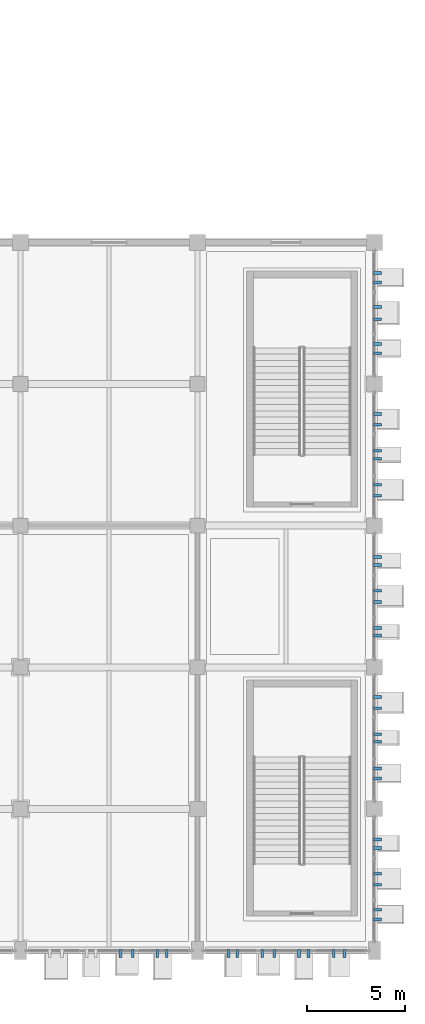
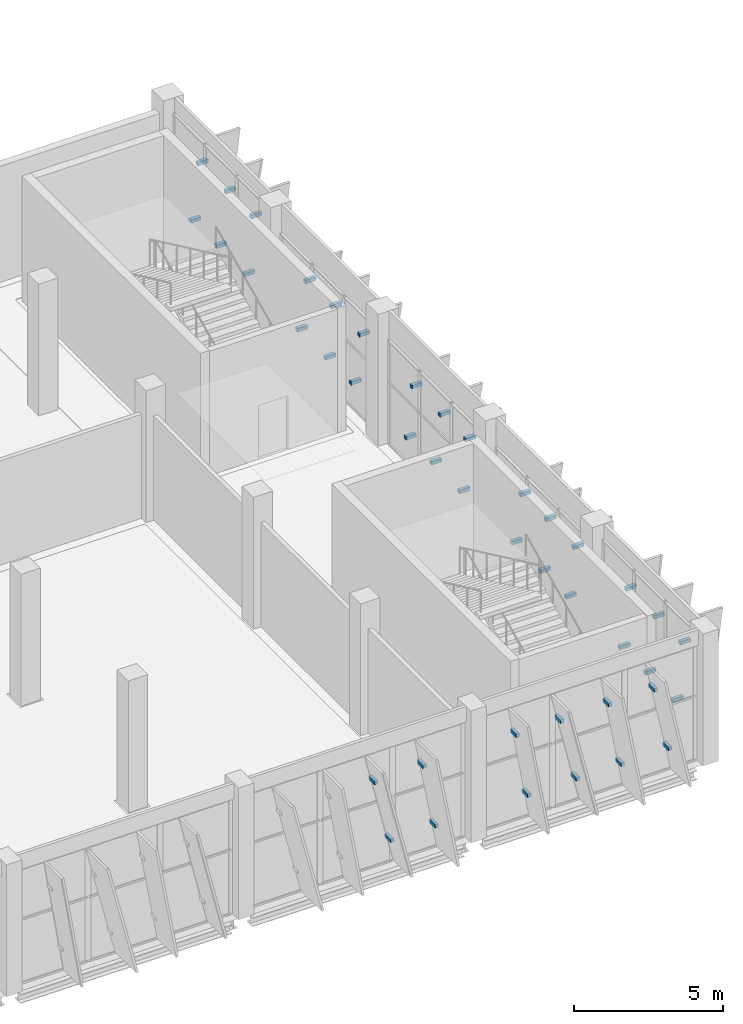
# One storey, part 106 of 137: 42 discrete accessories.
"""IFC4 building model written with IfcOpenShell, lengths in metres."""

from ifc_helpers import new_model, si_unit, direction, frame, origin, origin_2d, place, context, subcontext, project, spatial, rectangle, extrude, material, type_object, element, save


model = new_model("IFC4")

# Units and contexts
model_context = context("Model", 3, precision=1e-05, world=origin(), true_north=direction((0.0, 1.0)))
body_context = subcontext(model_context, "Body", "Model", "MODEL_VIEW")
ifc_project = project(units=[si_unit("LENGTHUNIT", "METRE"), si_unit("AREAUNIT", "SQUARE_METRE"), si_unit("VOLUMEUNIT", "CUBIC_METRE"), si_unit("PLANEANGLEUNIT", "RADIAN"), si_unit("MASSUNIT", "GRAM", prefix="KILO")], contexts=[model_context])

# Site, building, storey
site_placement = place(None, origin())
site = spatial("IfcSite", under=ifc_project, at=site_placement, CompositionType="ELEMENT")
building_placement = place(site_placement, origin())
building = spatial("IfcBuilding", under=site, at=building_placement, Name="Celestram Park Convention Centre", CompositionType="ELEMENT")
storey_placement = place(building_placement, origin())
storey = spatial("IfcBuildingStorey", under=building, at=storey_placement, Name="L00", CompositionType="ELEMENT", Elevation=0.0)

# Discrete accessories
ifc_material = material(Name="Steel ASTM A500 Grade C", Category="steel")
discrete_accessory_type = type_object("IfcDiscreteAccessoryType", Name="ARC-BRK-OUT400", PredefinedType="BRACKET", material=ifc_material)
for number, where, z_axis, x_axis, name in (
    (1, (216.14990234375, 34.443115234375, 1.01513671875), (0.0, 0.0, 1.0), (1.0, 0.0, 0.0), "Solar fin outrigger bracket BK-L00-0135"),
    (2, (216.14990234375, 33.956787109375, 3.66455078125), (0.0, 0.0, 1.0), (1.0, 0.0, 0.0), "Solar fin outrigger bracket BK-L00-0136"),
    (3, (216.14990234375, 32.712158203125, 1.02978515625), (0.0, 0.0, 1.0), (1.0, 0.0, 0.0), "Solar fin outrigger bracket BK-L00-0137"),
    (4, (216.14990234375, 32.087890625, 3.650390625), (0.0, 0.0, 1.0), (1.0, 0.0, 0.0), "Solar fin outrigger bracket BK-L00-0138"),
    (5, (216.14990234375, 30.8291015625, 1.01318359375), (0.0, 0.0, 1.0), (1.0, 0.0, 0.0), "Solar fin outrigger bracket BK-L00-0139"),
    (6, (216.14990234375, 30.370849609375, 3.6669921875), (0.0, 0.0, 1.0), (1.0, 0.0, 0.0), "Solar fin outrigger bracket BK-L00-0140"),
    (7, (216.14990234375, 27.27587890625, 0.9033203125), (0.0, 0.0, 1.0), (1.0, 0.0, 0.0), "Solar fin outrigger bracket BK-L00-0141"),
    (8, (216.14990234375, 26.72412109375, 3.220703125), (0.0, 0.0, 1.0), (1.0, 0.0, 0.0), "Solar fin outrigger bracket BK-L00-0142"),
    (9, (216.14990234375, 25.402587890625, 0.88818359375), (0.0, 0.0, 1.0), (1.0, 0.0, 0.0), "Solar fin outrigger bracket BK-L00-0143"),
    (10, (216.14990234375, 24.997314453125, 3.23583984375), (0.0, 0.0, 1.0), (1.0, 0.0, 0.0), "Solar fin outrigger bracket BK-L00-0144"),
    (11, (216.14990234375, 23.68408203125, 0.9052734375), (0.0, 0.0, 1.0), (1.0, 0.0, 0.0), "Solar fin outrigger bracket BK-L00-0145"),
    (12, (216.14990234375, 23.115966796875, 3.21875), (0.0, 0.0, 1.0), (1.0, 0.0, 0.0), "Solar fin outrigger bracket BK-L00-0146"),
    (13, (216.14990234375, 20.002685546875, 0.88818359375), (0.0, 0.0, 1.0), (1.0, 0.0, 0.0), "Solar fin outrigger bracket BK-L00-0147"),
    (14, (216.14990234375, 19.597412109375, 3.23583984375), (0.0, 0.0, 1.0), (1.0, 0.0, 0.0), "Solar fin outrigger bracket BK-L00-0148"),
    (15, (216.14990234375, 18.2841796875, 0.9052734375), (0.0, 0.0, 1.0), (1.0, 0.0, 0.0), "Solar fin outrigger bracket BK-L00-0149"),
    (16, (216.14990234375, 17.7158203125, 3.21875), (0.0, 0.0, 1.0), (1.0, 0.0, 0.0), "Solar fin outrigger bracket BK-L00-0150"),
    (17, (216.14990234375, 16.390380859375, 0.88623046875), (0.0, 0.0, 1.0), (1.0, 0.0, 0.0), "Solar fin outrigger bracket BK-L00-0151"),
    (18, (216.14990234375, 16.009521484375, 3.23779296875), (0.0, 0.0, 1.0), (1.0, 0.0, 0.0), "Solar fin outrigger bracket BK-L00-0152"),
    (19, (216.14990234375, 12.884033203125, 0.9052734375), (0.0, 0.0, 1.0), (1.0, 0.0, 0.0), "Solar fin outrigger bracket BK-L00-0153"),
    (20, (216.14990234375, 12.31591796875, 3.21875), (0.0, 0.0, 1.0), (1.0, 0.0, 0.0), "Solar fin outrigger bracket BK-L00-0154"),
    (21, (216.14990234375, 10.990478515625, 0.88623046875), (0.0, 0.0, 1.0), (1.0, 0.0, 0.0), "Solar fin outrigger bracket BK-L00-0155"),
    (22, (216.14990234375, 10.609619140625, 3.23779296875), (0.0, 0.0, 1.0), (1.0, 0.0, 0.0), "Solar fin outrigger bracket BK-L00-0156"),
    (23, (216.14990234375, 9.249755859375, 0.8974609375), (0.0, 0.0, 1.0), (1.0, 0.0, 0.0), "Solar fin outrigger bracket BK-L00-0157"),
    (24, (216.14990234375, 8.750244140625, 3.2265625), (0.0, 0.0, 1.0), (1.0, 0.0, 0.0), "Solar fin outrigger bracket BK-L00-0158"),
    (25, (216.14990234375, 5.640380859375, 1.0107421875), (0.0, 0.0, 1.0), (1.0, 0.0, 0.0), "Solar fin outrigger bracket BK-L00-0159"),
    (26, (216.14990234375, 5.209716796875, 3.66943359375), (0.0, 0.0, 1.0), (1.0, 0.0, 0.0), "Solar fin outrigger bracket BK-L00-0160"),
    (27, (216.14990234375, 3.9072265625, 1.02294921875), (0.0, 0.0, 1.0), (1.0, 0.0, 0.0), "Solar fin outrigger bracket BK-L00-0161"),
    (28, (216.14990234375, 3.3427734375, 3.65673828125), (0.0, 0.0, 1.0), (1.0, 0.0, 0.0), "Solar fin outrigger bracket BK-L00-0162"),
    (29, (216.14990234375, 2.068115234375, 1.01513671875), (0.0, 0.0, 1.0), (1.0, 0.0, 0.0), "Solar fin outrigger bracket BK-L00-0163"),
    (30, (216.14990234375, 1.581787109375, 3.66455078125), (0.0, 0.0, 1.0), (1.0, 0.0, 0.0), "Solar fin outrigger bracket BK-L00-0164"),
    (31, (214.47802734375, -0.14990234375, 1.0068359375), (0.0, 0.0, 1.0), (0.0, -1.0, 0.0), "Solar fin outrigger bracket BK-L00-0165"),
    (32, (213.922119140625, -0.14990234375, 3.6005859375), (0.0, 0.0, 1.0), (0.0, -1.0, 0.0), "Solar fin outrigger bracket BK-L00-0166"),
    (33, (212.639404296875, -0.14990234375, 0.9990234375), (0.0, 0.0, 1.0), (0.0, -1.0, 0.0), "Solar fin outrigger bracket BK-L00-0167"),
    (34, (212.16064453125, -0.14990234375, 3.60791015625), (0.0, 0.0, 1.0), (0.0, -1.0, 0.0), "Solar fin outrigger bracket BK-L00-0168"),
    (35, (210.907470703125, -0.14990234375, 1.01318359375), (0.0, 0.0, 1.0), (0.0, -1.0, 0.0), "Solar fin outrigger bracket BK-L00-0169"),
    (36, (210.29248046875, -0.14990234375, 3.59375), (0.0, 0.0, 1.0), (0.0, -1.0, 0.0), "Solar fin outrigger bracket BK-L00-0170"),
    (37, (209.02587890625, -0.14990234375, 0.99658203125), (0.0, 0.0, 1.0), (0.0, -1.0, 0.0), "Solar fin outrigger bracket BK-L00-0171"),
    (38, (208.57421875, -0.14990234375, 3.6103515625), (0.0, 0.0, 1.0), (0.0, -1.0, 0.0), "Solar fin outrigger bracket BK-L00-0172"),
    (39, (205.439453125, -0.14990234375, 0.9990234375), (0.0, 0.0, 1.0), (0.0, -1.0, 0.0), "Solar fin outrigger bracket BK-L00-0173"),
    (40, (204.960693359375, -0.14990234375, 3.60791015625), (0.0, 0.0, 1.0), (0.0, -1.0, 0.0), "Solar fin outrigger bracket BK-L00-0174"),
    (41, (203.70751953125, -0.14990234375, 1.01318359375), (0.0, 0.0, 1.0), (0.0, -1.0, 0.0), "Solar fin outrigger bracket BK-L00-0175"),
    (42, (203.092529296875, -0.14990234375, 3.59375), (0.0, 0.0, 1.0), (0.0, -1.0, 0.0), "Solar fin outrigger bracket BK-L00-0176"),
):
    element("IfcDiscreteAccessory", number, at=place(storey_placement, frame(where, z_axis=z_axis, x_axis=x_axis)), inside=storey, type_object=discrete_accessory_type, Name=name, PredefinedType="BRACKET", context=body_context, shape_type="SweptSolid", body=[
        extrude(rectangle(XDim=0.39990234375, YDim=0.139892578125, at=origin_2d()), origin(), (0.0, 0.0, 1.0), 0.139892578125),
    ])

save(model, "model.ifc")
